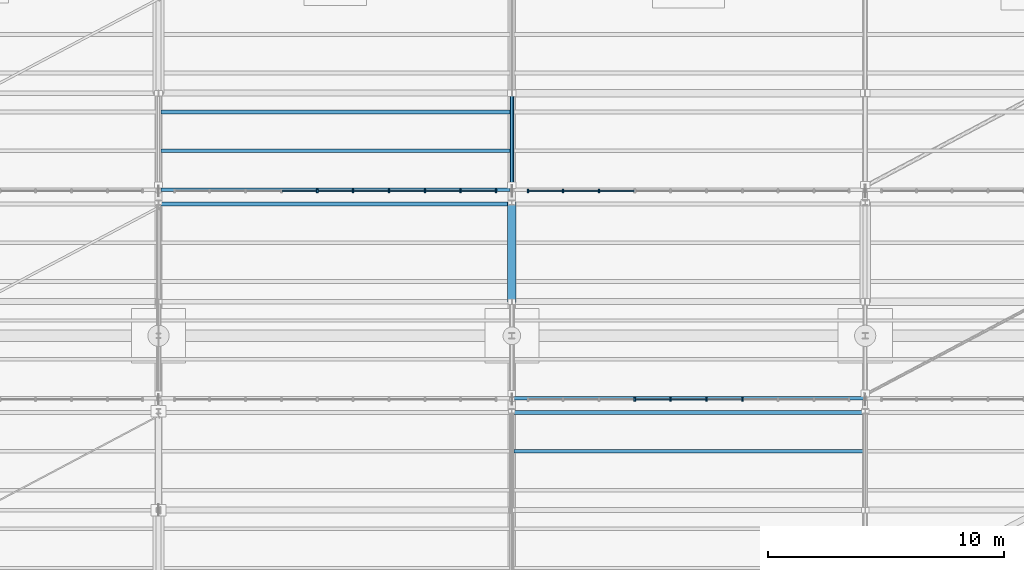
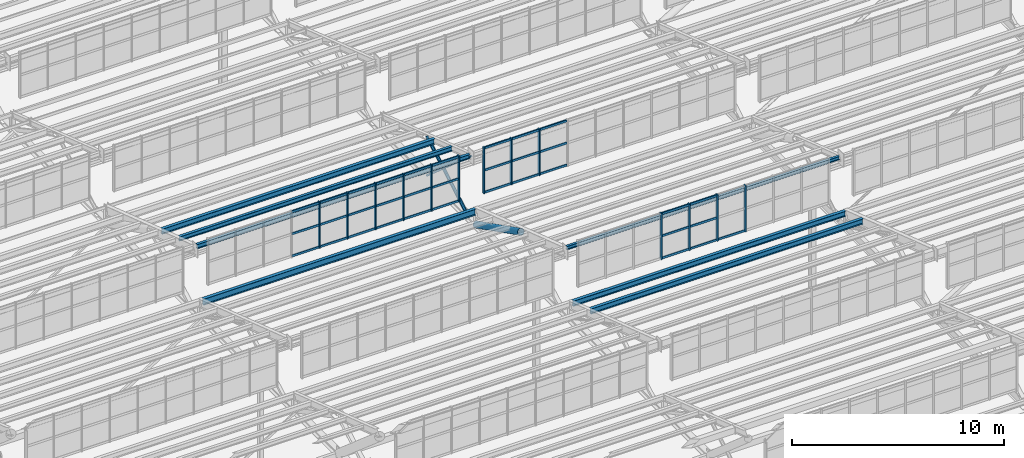
# One storey, part 81 of 285: 50 members, 7 beams, 3 elements without a shape of their own.
"""IFC4 building model written with IfcOpenShell, lengths in metres."""

from ifc_helpers import new_model, si_unit, direction, frame, origin, origin_2d, place, context, subcontext, project, spatial, rectangle, hollow_rectangle, hollow_circle, i_section, extrude, material, material_profile, profile_set, type_object, element, aggregate, save


model = new_model("IFC4")

# Units and contexts
model_context = context("Model", 3, precision=1e-05, world=origin(), true_north=direction((0.0, 1.0)))
body_context = subcontext(model_context, "Body", "Model", "MODEL_VIEW")
ifc_project = project(units=[si_unit("LENGTHUNIT", "METRE"), si_unit("AREAUNIT", "SQUARE_METRE"), si_unit("VOLUMEUNIT", "CUBIC_METRE"), si_unit("PLANEANGLEUNIT", "RADIAN"), si_unit("MASSUNIT", "GRAM", prefix="KILO")], contexts=[model_context])

# Site, building, storey
site_placement = place(None, origin())
site = spatial("IfcSite", under=ifc_project, at=site_placement, CompositionType="ELEMENT")
building_placement = place(site_placement, origin())
building = spatial("IfcBuilding", under=site, at=building_placement, Name="Solanera Park Tramway Depot", CompositionType="ELEMENT")
storey_placement = place(building_placement, origin())
storey = spatial("IfcBuildingStorey", under=building, at=storey_placement, Name="L00", CompositionType="ELEMENT", Elevation=0.0)

# Curtain wall, members
ifc_material_1 = material(Name="Bronze-anodised thermally broken aluminium curtain wall", Category="aluminium")
curtain_wall_type = type_object("IfcCurtainWallType", Name="Sawtooth Clerestory Monitor Curtain Wall", PredefinedType="NOTDEFINED", material=ifc_material_1)
curtain_wall_1_placement = place(storey_placement, origin())
curtain_wall_1 = element("IfcCurtainWall", 1, at=curtain_wall_1_placement, inside=storey, type_object=curtain_wall_type, Name="L00 Sawtooth Clerestory Monitor Curtain Wall #024", PredefinedType="NOTDEFINED")
ifc_material_2 = material(Name="Bronze-anodised structural aluminium 6063-T6", Category="aluminium")
ifc_material_profile_1 = material_profile(ifc_material_2, rectangle(XDim=0.06494140625, YDim=0.14990234375, at=origin_2d()), Name="Curtain Wall Mullion 65x150")
ifc_profile_set_1 = profile_set([ifc_material_profile_1], Name="Bronze-anodised structural aluminium 6063-T6")
member_type_1 = type_object("IfcMemberType", Name="Curtain Wall Mullion 65x150", PredefinedType="MULLION", material=ifc_profile_set_1)
member_1_placement = place(storey_placement, frame((80.216796875, 82.300048828125, 7.75), z_axis=(0.0, 0.0, 1.0), x_axis=(1.0, 0.0, 0.0)))
member_1 = element("IfcMember", 2, at=member_1_placement, type_object=member_type_1, Name="CW-L00-024 Mullion 4", PredefinedType="MULLION", context=body_context, shape_type="SweptSolid", body=[
    extrude(rectangle(XDim=0.06494140625, YDim=0.14990234375, at=origin_2d()), origin(), (0.0, 0.0, 1.0), 2.6611328125),
])
member_2_placement = place(storey_placement, frame((81.739013671875, 82.300048828125, 7.75), z_axis=(0.0, 0.0, 1.0), x_axis=(1.0, 0.0, 0.0)))
member_2 = element("IfcMember", 3, at=member_2_placement, type_object=member_type_1, Name="CW-L00-024 Mullion 5", PredefinedType="MULLION", context=body_context, shape_type="SweptSolid", body=[
    extrude(rectangle(XDim=0.06494140625, YDim=0.14990234375, at=origin_2d()), origin(), (0.0, 0.0, 1.0), 2.6611328125),
])
member_3_placement = place(storey_placement, frame((83.260986328125, 82.300048828125, 7.75), z_axis=(0.0, 0.0, 1.0), x_axis=(1.0, 0.0, 0.0)))
member_3 = element("IfcMember", 4, at=member_3_placement, type_object=member_type_1, Name="CW-L00-024 Mullion 6", PredefinedType="MULLION", context=body_context, shape_type="SweptSolid", body=[
    extrude(rectangle(XDim=0.06494140625, YDim=0.14990234375, at=origin_2d()), origin(), (0.0, 0.0, 1.0), 2.6611328125),
])
member_4_placement = place(storey_placement, frame((84.783203125, 82.300048828125, 7.75), z_axis=(0.0, 0.0, 1.0), x_axis=(1.0, 0.0, 0.0)))
member_4 = element("IfcMember", 5, at=member_4_placement, type_object=member_type_1, Name="CW-L00-024 Mullion 7", PredefinedType="MULLION", context=body_context, shape_type="SweptSolid", body=[
    extrude(rectangle(XDim=0.06494140625, YDim=0.14990234375, at=origin_2d()), origin(), (0.0, 0.0, 1.0), 2.6611328125),
])

curtain_wall_2_placement = place(storey_placement, origin())
curtain_wall_2 = element("IfcCurtainWall", 6, at=curtain_wall_2_placement, inside=storey, type_object=curtain_wall_type, Name="L00 Sawtooth Clerestory Monitor Curtain Wall #031", PredefinedType="NOTDEFINED")
member_5_placement = place(storey_placement, frame((66.739013671875, 91.14990234375, 7.75), z_axis=(0.0, 0.0, 1.0), x_axis=(1.0, 0.0, 0.0)))
member_5 = element("IfcMember", 7, at=member_5_placement, type_object=member_type_1, Name="CW-L00-031 Mullion 5", PredefinedType="MULLION", context=body_context, shape_type="SweptSolid", body=[
    extrude(rectangle(XDim=0.06494140625, YDim=0.14990234375, at=origin_2d()), origin(), (0.0, 0.0, 1.0), 2.6611328125),
])
member_6_placement = place(storey_placement, frame((68.260986328125, 91.14990234375, 7.75), z_axis=(0.0, 0.0, 1.0), x_axis=(1.0, 0.0, 0.0)))
member_6 = element("IfcMember", 8, at=member_6_placement, type_object=member_type_1, Name="CW-L00-031 Mullion 6", PredefinedType="MULLION", context=body_context, shape_type="SweptSolid", body=[
    extrude(rectangle(XDim=0.06494140625, YDim=0.14990234375, at=origin_2d()), origin(), (0.0, 0.0, 1.0), 2.6611328125),
])
member_7_placement = place(storey_placement, frame((69.783203125, 91.14990234375, 7.75), z_axis=(0.0, 0.0, 1.0), x_axis=(1.0, 0.0, 0.0)))
member_7 = element("IfcMember", 9, at=member_7_placement, type_object=member_type_1, Name="CW-L00-031 Mullion 7", PredefinedType="MULLION", context=body_context, shape_type="SweptSolid", body=[
    extrude(rectangle(XDim=0.06494140625, YDim=0.14990234375, at=origin_2d()), origin(), (0.0, 0.0, 1.0), 2.6611328125),
])
member_8_placement = place(storey_placement, frame((71.3056640625, 91.14990234375, 7.75), z_axis=(0.0, 0.0, 1.0), x_axis=(1.0, 0.0, 0.0)))
member_8 = element("IfcMember", 10, at=member_8_placement, type_object=member_type_1, Name="CW-L00-031 Mullion 8", PredefinedType="MULLION", context=body_context, shape_type="SweptSolid", body=[
    extrude(rectangle(XDim=0.06494140625, YDim=0.14990234375, at=origin_2d()), origin(), (0.0, 0.0, 1.0), 2.6611328125),
])
member_9_placement = place(storey_placement, frame((72.827880859375, 91.14990234375, 7.75), z_axis=(0.0, 0.0, 1.0), x_axis=(1.0, 0.0, 0.0)))
member_9 = element("IfcMember", 11, at=member_9_placement, type_object=member_type_1, Name="CW-L00-031 Mullion 9", PredefinedType="MULLION", context=body_context, shape_type="SweptSolid", body=[
    extrude(rectangle(XDim=0.06494140625, YDim=0.14990234375, at=origin_2d()), origin(), (0.0, 0.0, 1.0), 2.6611328125),
])
member_10_placement = place(storey_placement, frame((74.3173828125, 91.14990234375, 7.75), z_axis=(0.0, 0.0, 1.0), x_axis=(1.0, 0.0, 0.0)))
member_10 = element("IfcMember", 12, at=member_10_placement, type_object=member_type_1, Name="CW-L00-031 Mullion 10", PredefinedType="MULLION", context=body_context, shape_type="SweptSolid", body=[
    extrude(rectangle(XDim=0.06494140625, YDim=0.14990234375, at=origin_2d()), origin(), (0.0, 0.0, 1.0), 2.6611328125),
])

curtain_wall_3_placement = place(storey_placement, origin())
curtain_wall_3 = element("IfcCurtainWall", 13, at=curtain_wall_3_placement, inside=storey, type_object=curtain_wall_type, Name="L00 Sawtooth Clerestory Monitor Curtain Wall #032", PredefinedType="NOTDEFINED")
member_11_placement = place(storey_placement, frame((75.6826171875, 91.14990234375, 7.75), z_axis=(0.0, 0.0, 1.0), x_axis=(1.0, 0.0, 0.0)))
member_11 = element("IfcMember", 14, at=member_11_placement, type_object=member_type_1, Name="CW-L00-032 Mullion 1", PredefinedType="MULLION", context=body_context, shape_type="SweptSolid", body=[
    extrude(rectangle(XDim=0.06494140625, YDim=0.14990234375, at=origin_2d()), origin(), (0.0, 0.0, 1.0), 2.6611328125),
])
member_12_placement = place(storey_placement, frame((77.172119140625, 91.14990234375, 7.75), z_axis=(0.0, 0.0, 1.0), x_axis=(1.0, 0.0, 0.0)))
member_12 = element("IfcMember", 15, at=member_12_placement, type_object=member_type_1, Name="CW-L00-032 Mullion 2", PredefinedType="MULLION", context=body_context, shape_type="SweptSolid", body=[
    extrude(rectangle(XDim=0.06494140625, YDim=0.14990234375, at=origin_2d()), origin(), (0.0, 0.0, 1.0), 2.6611328125),
])
member_13_placement = place(storey_placement, frame((78.6943359375, 91.14990234375, 7.75), z_axis=(0.0, 0.0, 1.0), x_axis=(1.0, 0.0, 0.0)))
member_13 = element("IfcMember", 16, at=member_13_placement, type_object=member_type_1, Name="CW-L00-032 Mullion 3", PredefinedType="MULLION", context=body_context, shape_type="SweptSolid", body=[
    extrude(rectangle(XDim=0.06494140625, YDim=0.14990234375, at=origin_2d()), origin(), (0.0, 0.0, 1.0), 2.6611328125),
])

# Member
ifc_material_3 = material(Name="Bronze-anodised structural aluminium 6063-T6", Category="aluminium")
ifc_material_profile_2 = material_profile(ifc_material_3, rectangle(XDim=0.06494140625, YDim=0.1201171875, at=origin_2d()), Name="Curtain Wall Transom 65x120")
ifc_profile_set_2 = profile_set([ifc_material_profile_2], Name="Bronze-anodised structural aluminium 6063-T6")
member_type_2 = type_object("IfcMemberType", Name="Curtain Wall Transom 65x120", PredefinedType="USERDEFINED", material=ifc_profile_set_2)
member_14_placement = place(storey_placement, frame((80.24462890625, 82.300048828125, 7.81005859375), z_axis=(1.0, 0.0, 0.0), x_axis=(0.0, 1.0, 0.0)))
member_14 = element("IfcMember", 17, at=member_14_placement, type_object=member_type_2, Name="CW-L00-024 Transom R1.C4", ObjectType="TRANSOM", PredefinedType="USERDEFINED", context=body_context, shape_type="SweptSolid", body=[
    extrude(rectangle(XDim=0.06494140625, YDim=0.1201171875, at=origin_2d()), origin(), (0.0, 0.0, 1.0), 1.46630859375),
])

member_15_placement = place(storey_placement, frame((81.766845703125, 82.300048828125, 7.81005859375), z_axis=(1.0, 0.0, 0.0), x_axis=(0.0, 1.0, 0.0)))
member_15 = element("IfcMember", 18, at=member_15_placement, type_object=member_type_2, Name="CW-L00-024 Transom R1.C5", ObjectType="TRANSOM", PredefinedType="USERDEFINED", context=body_context, shape_type="SweptSolid", body=[
    extrude(rectangle(XDim=0.06494140625, YDim=0.1201171875, at=origin_2d()), origin(), (0.0, 0.0, 1.0), 1.46630859375),
])

member_16_placement = place(storey_placement, frame((83.2890625, 82.300048828125, 7.81005859375), z_axis=(1.0, 0.0, 0.0), x_axis=(0.0, 1.0, 0.0)))
member_16 = element("IfcMember", 19, at=member_16_placement, type_object=member_type_2, Name="CW-L00-024 Transom R1.C6", ObjectType="TRANSOM", PredefinedType="USERDEFINED", context=body_context, shape_type="SweptSolid", body=[
    extrude(rectangle(XDim=0.06494140625, YDim=0.1201171875, at=origin_2d()), origin(), (0.0, 0.0, 1.0), 1.46630859375),
])

member_17_placement = place(storey_placement, frame((80.24462890625, 82.300048828125, 9.08056640625), z_axis=(1.0, 0.0, 0.0), x_axis=(0.0, 1.0, 0.0)))
member_17 = element("IfcMember", 20, at=member_17_placement, type_object=member_type_2, Name="CW-L00-024 Transom R2.C4", ObjectType="TRANSOM", PredefinedType="USERDEFINED", context=body_context, shape_type="SweptSolid", body=[
    extrude(rectangle(XDim=0.06494140625, YDim=0.1201171875, at=origin_2d()), origin(), (0.0, 0.0, 1.0), 1.46630859375),
])

member_18_placement = place(storey_placement, frame((81.766845703125, 82.300048828125, 9.08056640625), z_axis=(1.0, 0.0, 0.0), x_axis=(0.0, 1.0, 0.0)))
member_18 = element("IfcMember", 21, at=member_18_placement, type_object=member_type_2, Name="CW-L00-024 Transom R2.C5", ObjectType="TRANSOM", PredefinedType="USERDEFINED", context=body_context, shape_type="SweptSolid", body=[
    extrude(rectangle(XDim=0.06494140625, YDim=0.1201171875, at=origin_2d()), origin(), (0.0, 0.0, 1.0), 1.46630859375),
])

member_19_placement = place(storey_placement, frame((80.24462890625, 82.300048828125, 10.351318359375), z_axis=(1.0, 0.0, 0.0), x_axis=(0.0, 1.0, 0.0)))
member_19 = element("IfcMember", 22, at=member_19_placement, type_object=member_type_2, Name="CW-L00-024 Transom R3.C4", ObjectType="TRANSOM", PredefinedType="USERDEFINED", context=body_context, shape_type="SweptSolid", body=[
    extrude(rectangle(XDim=0.06494140625, YDim=0.1201171875, at=origin_2d()), origin(), (0.0, 0.0, 1.0), 1.46630859375),
])

member_20_placement = place(storey_placement, frame((81.766845703125, 82.300048828125, 10.351318359375), z_axis=(1.0, 0.0, 0.0), x_axis=(0.0, 1.0, 0.0)))
member_20 = element("IfcMember", 23, at=member_20_placement, type_object=member_type_2, Name="CW-L00-024 Transom R3.C5", ObjectType="TRANSOM", PredefinedType="USERDEFINED", context=body_context, shape_type="SweptSolid", body=[
    extrude(rectangle(XDim=0.06494140625, YDim=0.1201171875, at=origin_2d()), origin(), (0.0, 0.0, 1.0), 1.46630859375),
])

aggregate(curtain_wall_1, [member_1, member_2, member_3, member_4, member_14, member_15, member_16, member_17, member_18, member_19, member_20])

member_21_placement = place(storey_placement, frame((65.24462890625, 91.14990234375, 7.81005859375), z_axis=(1.0, 0.0, 0.0), x_axis=(0.0, 1.0, 0.0)))
member_21 = element("IfcMember", 24, at=member_21_placement, type_object=member_type_2, Name="CW-L00-031 Transom R1.C4", ObjectType="TRANSOM", PredefinedType="USERDEFINED", context=body_context, shape_type="SweptSolid", body=[
    extrude(rectangle(XDim=0.06494140625, YDim=0.1201171875, at=origin_2d()), origin(), (0.0, 0.0, 1.0), 1.46630859375),
])

member_22_placement = place(storey_placement, frame((66.766845703125, 91.14990234375, 7.81005859375), z_axis=(1.0, 0.0, 0.0), x_axis=(0.0, 1.0, 0.0)))
member_22 = element("IfcMember", 25, at=member_22_placement, type_object=member_type_2, Name="CW-L00-031 Transom R1.C5", ObjectType="TRANSOM", PredefinedType="USERDEFINED", context=body_context, shape_type="SweptSolid", body=[
    extrude(rectangle(XDim=0.06494140625, YDim=0.1201171875, at=origin_2d()), origin(), (0.0, 0.0, 1.0), 1.46630859375),
])

member_23_placement = place(storey_placement, frame((68.2890625, 91.14990234375, 7.81005859375), z_axis=(1.0, 0.0, 0.0), x_axis=(0.0, 1.0, 0.0)))
member_23 = element("IfcMember", 26, at=member_23_placement, type_object=member_type_2, Name="CW-L00-031 Transom R1.C6", ObjectType="TRANSOM", PredefinedType="USERDEFINED", context=body_context, shape_type="SweptSolid", body=[
    extrude(rectangle(XDim=0.06494140625, YDim=0.1201171875, at=origin_2d()), origin(), (0.0, 0.0, 1.0), 1.46630859375),
])

member_24_placement = place(storey_placement, frame((69.811279296875, 91.14990234375, 7.81005859375), z_axis=(1.0, 0.0, 0.0), x_axis=(0.0, 1.0, 0.0)))
member_24 = element("IfcMember", 27, at=member_24_placement, type_object=member_type_2, Name="CW-L00-031 Transom R1.C7", ObjectType="TRANSOM", PredefinedType="USERDEFINED", context=body_context, shape_type="SweptSolid", body=[
    extrude(rectangle(XDim=0.06494140625, YDim=0.1201171875, at=origin_2d()), origin(), (0.0, 0.0, 1.0), 1.46630859375),
])

member_25_placement = place(storey_placement, frame((71.33349609375, 91.14990234375, 7.81005859375), z_axis=(1.0, 0.0, 0.0), x_axis=(0.0, 1.0, 0.0)))
member_25 = element("IfcMember", 28, at=member_25_placement, type_object=member_type_2, Name="CW-L00-031 Transom R1.C8", ObjectType="TRANSOM", PredefinedType="USERDEFINED", context=body_context, shape_type="SweptSolid", body=[
    extrude(rectangle(XDim=0.06494140625, YDim=0.1201171875, at=origin_2d()), origin(), (0.0, 0.0, 1.0), 1.46630859375),
])

member_26_placement = place(storey_placement, frame((72.855712890625, 91.14990234375, 7.81005859375), z_axis=(1.0, 0.0, 0.0), x_axis=(0.0, 1.0, 0.0)))
member_26 = element("IfcMember", 29, at=member_26_placement, type_object=member_type_2, Name="CW-L00-031 Transom R1.C9", ObjectType="TRANSOM", PredefinedType="USERDEFINED", context=body_context, shape_type="SweptSolid", body=[
    extrude(rectangle(XDim=0.06494140625, YDim=0.1201171875, at=origin_2d()), origin(), (0.0, 0.0, 1.0), 1.433837890625),
])

member_27_placement = place(storey_placement, frame((65.24462890625, 91.14990234375, 9.08056640625), z_axis=(1.0, 0.0, 0.0), x_axis=(0.0, 1.0, 0.0)))
member_27 = element("IfcMember", 30, at=member_27_placement, type_object=member_type_2, Name="CW-L00-031 Transom R2.C4", ObjectType="TRANSOM", PredefinedType="USERDEFINED", context=body_context, shape_type="SweptSolid", body=[
    extrude(rectangle(XDim=0.06494140625, YDim=0.1201171875, at=origin_2d()), origin(), (0.0, 0.0, 1.0), 1.46630859375),
])

member_28_placement = place(storey_placement, frame((66.766845703125, 91.14990234375, 9.08056640625), z_axis=(1.0, 0.0, 0.0), x_axis=(0.0, 1.0, 0.0)))
member_28 = element("IfcMember", 31, at=member_28_placement, type_object=member_type_2, Name="CW-L00-031 Transom R2.C5", ObjectType="TRANSOM", PredefinedType="USERDEFINED", context=body_context, shape_type="SweptSolid", body=[
    extrude(rectangle(XDim=0.06494140625, YDim=0.1201171875, at=origin_2d()), origin(), (0.0, 0.0, 1.0), 1.46630859375),
])

member_29_placement = place(storey_placement, frame((68.2890625, 91.14990234375, 9.08056640625), z_axis=(1.0, 0.0, 0.0), x_axis=(0.0, 1.0, 0.0)))
member_29 = element("IfcMember", 32, at=member_29_placement, type_object=member_type_2, Name="CW-L00-031 Transom R2.C6", ObjectType="TRANSOM", PredefinedType="USERDEFINED", context=body_context, shape_type="SweptSolid", body=[
    extrude(rectangle(XDim=0.06494140625, YDim=0.1201171875, at=origin_2d()), origin(), (0.0, 0.0, 1.0), 1.46630859375),
])

member_30_placement = place(storey_placement, frame((69.811279296875, 91.14990234375, 9.08056640625), z_axis=(1.0, 0.0, 0.0), x_axis=(0.0, 1.0, 0.0)))
member_30 = element("IfcMember", 33, at=member_30_placement, type_object=member_type_2, Name="CW-L00-031 Transom R2.C7", ObjectType="TRANSOM", PredefinedType="USERDEFINED", context=body_context, shape_type="SweptSolid", body=[
    extrude(rectangle(XDim=0.06494140625, YDim=0.1201171875, at=origin_2d()), origin(), (0.0, 0.0, 1.0), 1.46630859375),
])

member_31_placement = place(storey_placement, frame((71.33349609375, 91.14990234375, 9.08056640625), z_axis=(1.0, 0.0, 0.0), x_axis=(0.0, 1.0, 0.0)))
member_31 = element("IfcMember", 34, at=member_31_placement, type_object=member_type_2, Name="CW-L00-031 Transom R2.C8", ObjectType="TRANSOM", PredefinedType="USERDEFINED", context=body_context, shape_type="SweptSolid", body=[
    extrude(rectangle(XDim=0.06494140625, YDim=0.1201171875, at=origin_2d()), origin(), (0.0, 0.0, 1.0), 1.46630859375),
])

member_32_placement = place(storey_placement, frame((72.855712890625, 91.14990234375, 9.08056640625), z_axis=(1.0, 0.0, 0.0), x_axis=(0.0, 1.0, 0.0)))
member_32 = element("IfcMember", 35, at=member_32_placement, type_object=member_type_2, Name="CW-L00-031 Transom R2.C9", ObjectType="TRANSOM", PredefinedType="USERDEFINED", context=body_context, shape_type="SweptSolid", body=[
    extrude(rectangle(XDim=0.06494140625, YDim=0.1201171875, at=origin_2d()), origin(), (0.0, 0.0, 1.0), 1.433837890625),
])

member_33_placement = place(storey_placement, frame((65.24462890625, 91.14990234375, 10.351318359375), z_axis=(1.0, 0.0, 0.0), x_axis=(0.0, 1.0, 0.0)))
member_33 = element("IfcMember", 36, at=member_33_placement, type_object=member_type_2, Name="CW-L00-031 Transom R3.C4", ObjectType="TRANSOM", PredefinedType="USERDEFINED", context=body_context, shape_type="SweptSolid", body=[
    extrude(rectangle(XDim=0.06494140625, YDim=0.1201171875, at=origin_2d()), origin(), (0.0, 0.0, 1.0), 1.46630859375),
])

member_34_placement = place(storey_placement, frame((66.766845703125, 91.14990234375, 10.351318359375), z_axis=(1.0, 0.0, 0.0), x_axis=(0.0, 1.0, 0.0)))
member_34 = element("IfcMember", 37, at=member_34_placement, type_object=member_type_2, Name="CW-L00-031 Transom R3.C5", ObjectType="TRANSOM", PredefinedType="USERDEFINED", context=body_context, shape_type="SweptSolid", body=[
    extrude(rectangle(XDim=0.06494140625, YDim=0.1201171875, at=origin_2d()), origin(), (0.0, 0.0, 1.0), 1.46630859375),
])

member_35_placement = place(storey_placement, frame((68.2890625, 91.14990234375, 10.351318359375), z_axis=(1.0, 0.0, 0.0), x_axis=(0.0, 1.0, 0.0)))
member_35 = element("IfcMember", 38, at=member_35_placement, type_object=member_type_2, Name="CW-L00-031 Transom R3.C6", ObjectType="TRANSOM", PredefinedType="USERDEFINED", context=body_context, shape_type="SweptSolid", body=[
    extrude(rectangle(XDim=0.06494140625, YDim=0.1201171875, at=origin_2d()), origin(), (0.0, 0.0, 1.0), 1.46630859375),
])

member_36_placement = place(storey_placement, frame((69.811279296875, 91.14990234375, 10.351318359375), z_axis=(1.0, 0.0, 0.0), x_axis=(0.0, 1.0, 0.0)))
member_36 = element("IfcMember", 39, at=member_36_placement, type_object=member_type_2, Name="CW-L00-031 Transom R3.C7", ObjectType="TRANSOM", PredefinedType="USERDEFINED", context=body_context, shape_type="SweptSolid", body=[
    extrude(rectangle(XDim=0.06494140625, YDim=0.1201171875, at=origin_2d()), origin(), (0.0, 0.0, 1.0), 1.46630859375),
])

member_37_placement = place(storey_placement, frame((71.33349609375, 91.14990234375, 10.351318359375), z_axis=(1.0, 0.0, 0.0), x_axis=(0.0, 1.0, 0.0)))
member_37 = element("IfcMember", 40, at=member_37_placement, type_object=member_type_2, Name="CW-L00-031 Transom R3.C8", ObjectType="TRANSOM", PredefinedType="USERDEFINED", context=body_context, shape_type="SweptSolid", body=[
    extrude(rectangle(XDim=0.06494140625, YDim=0.1201171875, at=origin_2d()), origin(), (0.0, 0.0, 1.0), 1.46630859375),
])

member_38_placement = place(storey_placement, frame((72.855712890625, 91.14990234375, 10.351318359375), z_axis=(1.0, 0.0, 0.0), x_axis=(0.0, 1.0, 0.0)))
member_38 = element("IfcMember", 41, at=member_38_placement, type_object=member_type_2, Name="CW-L00-031 Transom R3.C9", ObjectType="TRANSOM", PredefinedType="USERDEFINED", context=body_context, shape_type="SweptSolid", body=[
    extrude(rectangle(XDim=0.06494140625, YDim=0.1201171875, at=origin_2d()), origin(), (0.0, 0.0, 1.0), 1.433837890625),
])

aggregate(curtain_wall_2, [member_5, member_6, member_7, member_8, member_9, member_10, member_21, member_22, member_23, member_24, member_25, member_26, member_27, member_28, member_29, member_30, member_31, member_32, member_33, member_34, member_35, member_36, member_37, member_38])

member_39_placement = place(storey_placement, frame((75.71044921875, 91.14990234375, 7.81005859375), z_axis=(1.0, 0.0, 0.0), x_axis=(0.0, 1.0, 0.0)))
member_39 = element("IfcMember", 42, at=member_39_placement, type_object=member_type_2, Name="CW-L00-032 Transom R1.C1", ObjectType="TRANSOM", PredefinedType="USERDEFINED", context=body_context, shape_type="SweptSolid", body=[
    extrude(rectangle(XDim=0.06494140625, YDim=0.1201171875, at=origin_2d()), origin(), (0.0, 0.0, 1.0), 1.433837890625),
])

member_40_placement = place(storey_placement, frame((77.2001953125, 91.14990234375, 7.81005859375), z_axis=(1.0, 0.0, 0.0), x_axis=(0.0, 1.0, 0.0)))
member_40 = element("IfcMember", 43, at=member_40_placement, type_object=member_type_2, Name="CW-L00-032 Transom R1.C2", ObjectType="TRANSOM", PredefinedType="USERDEFINED", context=body_context, shape_type="SweptSolid", body=[
    extrude(rectangle(XDim=0.06494140625, YDim=0.1201171875, at=origin_2d()), origin(), (0.0, 0.0, 1.0), 1.46630859375),
])

member_41_placement = place(storey_placement, frame((78.722412109375, 91.14990234375, 7.81005859375), z_axis=(1.0, 0.0, 0.0), x_axis=(0.0, 1.0, 0.0)))
member_41 = element("IfcMember", 44, at=member_41_placement, type_object=member_type_2, Name="CW-L00-032 Transom R1.C3", ObjectType="TRANSOM", PredefinedType="USERDEFINED", context=body_context, shape_type="SweptSolid", body=[
    extrude(rectangle(XDim=0.06494140625, YDim=0.1201171875, at=origin_2d()), origin(), (0.0, 0.0, 1.0), 1.46630859375),
])

member_42_placement = place(storey_placement, frame((75.71044921875, 91.14990234375, 9.08056640625), z_axis=(1.0, 0.0, 0.0), x_axis=(0.0, 1.0, 0.0)))
member_42 = element("IfcMember", 45, at=member_42_placement, type_object=member_type_2, Name="CW-L00-032 Transom R2.C1", ObjectType="TRANSOM", PredefinedType="USERDEFINED", context=body_context, shape_type="SweptSolid", body=[
    extrude(rectangle(XDim=0.06494140625, YDim=0.1201171875, at=origin_2d()), origin(), (0.0, 0.0, 1.0), 1.433837890625),
])

member_43_placement = place(storey_placement, frame((77.2001953125, 91.14990234375, 9.08056640625), z_axis=(1.0, 0.0, 0.0), x_axis=(0.0, 1.0, 0.0)))
member_43 = element("IfcMember", 46, at=member_43_placement, type_object=member_type_2, Name="CW-L00-032 Transom R2.C2", ObjectType="TRANSOM", PredefinedType="USERDEFINED", context=body_context, shape_type="SweptSolid", body=[
    extrude(rectangle(XDim=0.06494140625, YDim=0.1201171875, at=origin_2d()), origin(), (0.0, 0.0, 1.0), 1.46630859375),
])

member_44_placement = place(storey_placement, frame((78.722412109375, 91.14990234375, 9.08056640625), z_axis=(1.0, 0.0, 0.0), x_axis=(0.0, 1.0, 0.0)))
member_44 = element("IfcMember", 47, at=member_44_placement, type_object=member_type_2, Name="CW-L00-032 Transom R2.C3", ObjectType="TRANSOM", PredefinedType="USERDEFINED", context=body_context, shape_type="SweptSolid", body=[
    extrude(rectangle(XDim=0.06494140625, YDim=0.1201171875, at=origin_2d()), origin(), (0.0, 0.0, 1.0), 1.46630859375),
])

member_45_placement = place(storey_placement, frame((75.71044921875, 91.14990234375, 10.351318359375), z_axis=(1.0, 0.0, 0.0), x_axis=(0.0, 1.0, 0.0)))
member_45 = element("IfcMember", 48, at=member_45_placement, type_object=member_type_2, Name="CW-L00-032 Transom R3.C1", ObjectType="TRANSOM", PredefinedType="USERDEFINED", context=body_context, shape_type="SweptSolid", body=[
    extrude(rectangle(XDim=0.06494140625, YDim=0.1201171875, at=origin_2d()), origin(), (0.0, 0.0, 1.0), 1.433837890625),
])

member_46_placement = place(storey_placement, frame((77.2001953125, 91.14990234375, 10.351318359375), z_axis=(1.0, 0.0, 0.0), x_axis=(0.0, 1.0, 0.0)))
member_46 = element("IfcMember", 49, at=member_46_placement, type_object=member_type_2, Name="CW-L00-032 Transom R3.C2", ObjectType="TRANSOM", PredefinedType="USERDEFINED", context=body_context, shape_type="SweptSolid", body=[
    extrude(rectangle(XDim=0.06494140625, YDim=0.1201171875, at=origin_2d()), origin(), (0.0, 0.0, 1.0), 1.46630859375),
])

member_47_placement = place(storey_placement, frame((78.722412109375, 91.14990234375, 10.351318359375), z_axis=(1.0, 0.0, 0.0), x_axis=(0.0, 1.0, 0.0)))
member_47 = element("IfcMember", 50, at=member_47_placement, type_object=member_type_2, Name="CW-L00-032 Transom R3.C3", ObjectType="TRANSOM", PredefinedType="USERDEFINED", context=body_context, shape_type="SweptSolid", body=[
    extrude(rectangle(XDim=0.06494140625, YDim=0.1201171875, at=origin_2d()), origin(), (0.0, 0.0, 1.0), 1.46630859375),
])

aggregate(curtain_wall_3, [member_11, member_12, member_13, member_39, member_40, member_41, member_42, member_43, member_44, member_45, member_46, member_47])

ifc_material_4 = material(Name="Steel AS/NZS 1163 Grade C350L0", Category="steel")
ifc_material_profile_3 = material_profile(ifc_material_4, hollow_circle(Radius=0.084228515625, WallThickness=0.00634765625, at=origin_2d()), Name="168.3x6.4 CHS")
ifc_profile_set_3 = profile_set([ifc_material_profile_3], Name="Steel AS/NZS 1163 Grade C350L0")
member_type_3 = type_object("IfcMemberType", Name="Roof Gantry Compression Strut 168.3x6.4 CHS", PredefinedType="STRUT", material=ifc_profile_set_3)
member_48_placement = place(storey_placement, frame((75.0, 91.39990234375, 6.5), z_axis=(0.0, 0.866897509249, 0.498486417525), x_axis=(-1.0, 0.0, 0.0)))
element("IfcMember", 51, at=member_48_placement, inside=storey, type_object=member_type_3, Name="Sawtooth ROOF TRUSS Strut 168.3x6.4 CHS #0196", PredefinedType="STRUT", context=body_context, shape_type="SweptSolid", body=[
    extrude(hollow_circle(Radius=0.084228515625, WallThickness=0.00634765625, at=origin_2d()), origin(), (0.0, 0.0, 1.0), 4.4990234375),
])

# Beams
ifc_material_5 = material(Name="Steel AS/NZS 3679.1 Grade 350", Category="steel")
ifc_material_profile_4 = material_profile(ifc_material_5, i_section(OverallWidth=0.13330078125, OverallDepth=0.203125, WebThickness=0.005859375, FlangeThickness=0.0078125, at=origin_2d()), Name="200UB25.4")
ifc_profile_set_4 = profile_set([ifc_material_profile_4], Name="Steel AS/NZS 3679.1 Grade 350")
beam_type_1 = type_object("IfcBeamType", Name="Steel Joist Purlin 200UB25.4", PredefinedType="JOIST", material=ifc_profile_set_4)
beam_1_placement = place(storey_placement, frame((75.0966796875, 82.35009765625, 10.166259765625), z_axis=(1.0, 0.0, 0.0), x_axis=(0.0, 1.0, 0.0)))
element("IfcBeam", 52, at=beam_1_placement, inside=storey, type_object=beam_type_1, Name="Sawtooth Roof Purlin 200UB25.4 B04.1", PredefinedType="JOIST", context=body_context, shape_type="SweptSolid", body=[
    extrude(i_section(OverallWidth=0.13330078125, OverallDepth=0.203125, WebThickness=0.005859375, FlangeThickness=0.0078125, at=origin_2d()), origin(), (0.0, 0.0, 1.0), 14.828369140625),
])
ifc_material_6 = material(Name="Steel AS/NZS 3679.1 Grade 350", Category="steel")
ifc_material_profile_5 = material_profile(ifc_material_6, i_section(OverallWidth=0.14599609375, OverallDepth=0.251708984375, WebThickness=0.006103515625, FlangeThickness=0.008544921875, at=origin_2d()), Name="250UB31.4")
ifc_profile_set_5 = profile_set([ifc_material_profile_5], Name="Steel AS/NZS 3679.1 Grade 350")
beam_type_2 = type_object("IfcBeamType", Name="Steel Joist Purlin 250UB31.4", PredefinedType="JOIST", material=ifc_profile_set_5)
beam_2_placement = place(storey_placement, frame((60.0966796875, 91.199951171875, 10.139892578125), z_axis=(1.0, 0.0, 0.0), x_axis=(0.0, 1.0, 0.0)))
element("IfcBeam", 53, at=beam_2_placement, inside=storey, type_object=beam_type_2, Name="Sawtooth Roof Purlin 250UB31.4 B05.1", PredefinedType="JOIST", context=body_context, shape_type="SweptSolid", body=[
    extrude(i_section(OverallWidth=0.14599609375, OverallDepth=0.251708984375, WebThickness=0.006103515625, FlangeThickness=0.008544921875, at=origin_2d()), origin(), (0.0, 0.0, 1.0), 14.828369140625),
])
ifc_material_7 = material(Name="Steel AS/NZS 3679.1 Grade 350", Category="steel")
ifc_material_profile_6 = material_profile(ifc_material_7, i_section(OverallWidth=0.146484375, OverallDepth=0.256103515625, WebThickness=0.00634765625, FlangeThickness=0.010986328125, at=origin_2d()), Name="250UB37.3")
ifc_profile_set_6 = profile_set([ifc_material_profile_6], Name="Steel AS/NZS 3679.1 Grade 350")
beam_type_3 = type_object("IfcBeamType", Name="Steel Joist Purlin 250UB37.3", PredefinedType="JOIST", material=ifc_profile_set_6)
beam_3_placement = place(storey_placement, frame((60.0966796875, 92.85009765625, 9.58544921875), z_axis=(1.0, 0.0, 0.0), x_axis=(0.0, 1.0, 0.0)))
element("IfcBeam", 54, at=beam_3_placement, inside=storey, type_object=beam_type_3, Name="Sawtooth Roof Purlin 250UB37.3 B05.2", PredefinedType="JOIST", context=body_context, shape_type="SweptSolid", body=[
    extrude(i_section(OverallWidth=0.146484375, OverallDepth=0.256103515625, WebThickness=0.00634765625, FlangeThickness=0.010986328125, at=origin_2d()), origin(), (0.0, 0.0, 1.0), 14.828369140625),
])
ifc_material_8 = material(Name="Steel AS/NZS 3679.1 Grade 350", Category="steel")
ifc_material_profile_7 = material_profile(ifc_material_8, i_section(OverallWidth=0.1650390625, OverallDepth=0.3037109375, WebThickness=0.006103515625, FlangeThickness=0.01025390625, at=origin_2d()), Name="310UB40.4")
ifc_profile_set_7 = profile_set([ifc_material_profile_7], Name="Steel AS/NZS 3679.1 Grade 350")
beam_type_4 = type_object("IfcBeamType", Name="Steel Joist Purlin 310UB40.4", PredefinedType="JOIST", material=ifc_profile_set_7)
beam_4_placement = place(storey_placement, frame((75.087158203125, 80.10009765625, 7.902099609375), z_axis=(1.0, 0.0, 0.0), x_axis=(0.0, 1.0, 0.0)))
element("IfcBeam", 55, at=beam_4_placement, inside=storey, type_object=beam_type_4, Name="Sawtooth Roof Purlin 310UB40.4 B03.5", PredefinedType="JOIST", context=body_context, shape_type="SweptSolid", body=[
    extrude(i_section(OverallWidth=0.1650390625, OverallDepth=0.3037109375, WebThickness=0.006103515625, FlangeThickness=0.01025390625, at=origin_2d()), origin(), (0.0, 0.0, 1.0), 14.816162109375),
])
beam_5_placement = place(storey_placement, frame((60.0966796875, 94.5, 9.00634765625), z_axis=(1.0, 0.0, 0.0), x_axis=(0.0, 1.0, 0.0)))
element("IfcBeam", 56, at=beam_5_placement, inside=storey, type_object=beam_type_4, Name="Sawtooth Roof Purlin 310UB40.4 B05.3", PredefinedType="JOIST", context=body_context, shape_type="SweptSolid", body=[
    extrude(i_section(OverallWidth=0.1650390625, OverallDepth=0.3037109375, WebThickness=0.006103515625, FlangeThickness=0.01025390625, at=origin_2d()), origin(), (0.0, 0.0, 1.0), 14.828369140625),
])
ifc_material_9 = material(Name="Steel AS/NZS 3679.1 Grade 350", Category="steel")
ifc_material_profile_8 = material_profile(ifc_material_9, i_section(OverallWidth=0.166015625, OverallDepth=0.30712890625, WebThickness=0.006591796875, FlangeThickness=0.01171875, at=origin_2d()), Name="310UB46.2")
ifc_profile_set_8 = profile_set([ifc_material_profile_8], Name="Steel AS/NZS 3679.1 Grade 350")
beam_type_5 = type_object("IfcBeamType", Name="Steel Joist Purlin 310UB46.2", PredefinedType="JOIST", material=ifc_profile_set_8)
beam_6_placement = place(storey_placement, frame((75.087158203125, 81.75, 7.348388671875), z_axis=(1.0, 0.0, 0.0), x_axis=(0.0, 1.0, 0.0)))
element("IfcBeam", 57, at=beam_6_placement, inside=storey, type_object=beam_type_5, Name="Sawtooth Roof Purlin 310UB46.2 B03.6", PredefinedType="JOIST", context=body_context, shape_type="SweptSolid", body=[
    extrude(i_section(OverallWidth=0.166015625, OverallDepth=0.30712890625, WebThickness=0.006591796875, FlangeThickness=0.01171875, at=origin_2d()), origin(), (0.0, 0.0, 1.0), 14.816162109375),
])
ifc_material_10 = material(Name="Steel AS/NZS 3679.1 Grade 350", Category="steel")
ifc_material_profile_9 = material_profile(ifc_material_10, i_section(OverallWidth=0.17138671875, OverallDepth=0.355712890625, WebThickness=0.00732421875, FlangeThickness=0.011474609375, at=origin_2d()), Name="360UB50.7")
ifc_profile_set_9 = profile_set([ifc_material_profile_9], Name="Steel AS/NZS 3679.1 Grade 350")
beam_type_6 = type_object("IfcBeamType", Name="Steel Joist Purlin 360UB50.7", PredefinedType="JOIST", material=ifc_profile_set_9)
beam_7_placement = place(storey_placement, frame((60.087158203125, 90.60009765625, 7.3232421875), z_axis=(1.0, 0.0, 0.0), x_axis=(0.0, 1.0, 0.0)))
element("IfcBeam", 58, at=beam_7_placement, inside=storey, type_object=beam_type_6, Name="Sawtooth Roof Purlin 360UB50.7 B04.6", PredefinedType="JOIST", context=body_context, shape_type="SweptSolid", body=[
    extrude(i_section(OverallWidth=0.17138671875, OverallDepth=0.355712890625, WebThickness=0.00732421875, FlangeThickness=0.011474609375, at=origin_2d()), origin(), (0.0, 0.0, 1.0), 14.816162109375),
])

# Members
ifc_material_11 = material(Name="Steel AS/NZS 1163 Grade C350L0", Category="steel")
ifc_material_profile_10 = material_profile(ifc_material_11, hollow_rectangle(XDim=0.10009765625, YDim=0.10009765625, WallThickness=0.0048828125, at=origin_2d()), Name="100x100x5.0 SHS")
ifc_profile_set_10 = profile_set([ifc_material_profile_10], Name="Steel AS/NZS 1163 Grade C350L0")
member_type_4 = type_object("IfcMemberType", Name="Truss and Frame Brace 100x100x5.0 SHS", PredefinedType="BRACE", material=ifc_profile_set_10)
member_49_placement = place(storey_placement, frame((75.0, 95.300048828125, 6.5), z_axis=(0.0, -0.752601377508, 0.658476397886), x_axis=(1.0, 0.0, 0.0)))
element("IfcMember", 59, at=member_49_placement, inside=storey, type_object=member_type_4, Name="Sawtooth ROOF TRUSS Web Brace 100x100x5.0 SHS #0194", PredefinedType="BRACE", context=body_context, shape_type="SweptSolid", body=[
    extrude(hollow_rectangle(XDim=0.10009765625, YDim=0.10009765625, WallThickness=0.0048828125, at=origin_2d()), origin(), (0.0, 0.0, 1.0), 5.514404296875),
])
ifc_material_12 = material(Name="Steel AS/NZS 1163 Grade C350L0", Category="steel")
ifc_material_profile_11 = material_profile(ifc_material_12, hollow_circle(Radius=0.177734375, WallThickness=0.0126953125, at=origin_2d()), Name="355.6x12.7 CHS")
ifc_profile_set_11 = profile_set([ifc_material_profile_11], Name="Steel AS/NZS 1163 Grade C350L0")
member_type_5 = type_object("IfcMemberType", Name="Truss and Frame Brace 355.6x12.7 CHS", PredefinedType="BRACE", material=ifc_profile_set_11)
member_50_placement = place(storey_placement, frame((75.0, 90.64990234375, 6.5), z_axis=(0.0, -0.891893316909, 0.452245852665), x_axis=(1.0, 0.0, 0.0)))
element("IfcMember", 60, at=member_50_placement, inside=storey, type_object=member_type_5, Name="Sawtooth ROOF TRUSS Diagonal 355.6x12.7 CHS #0148", PredefinedType="BRACE", context=body_context, shape_type="SweptSolid", body=[
    extrude(hollow_circle(Radius=0.177734375, WallThickness=0.0126953125, at=origin_2d()), origin(), (0.0, 0.0, 1.0), 4.708984375),
])

save(model, "model.ifc")
